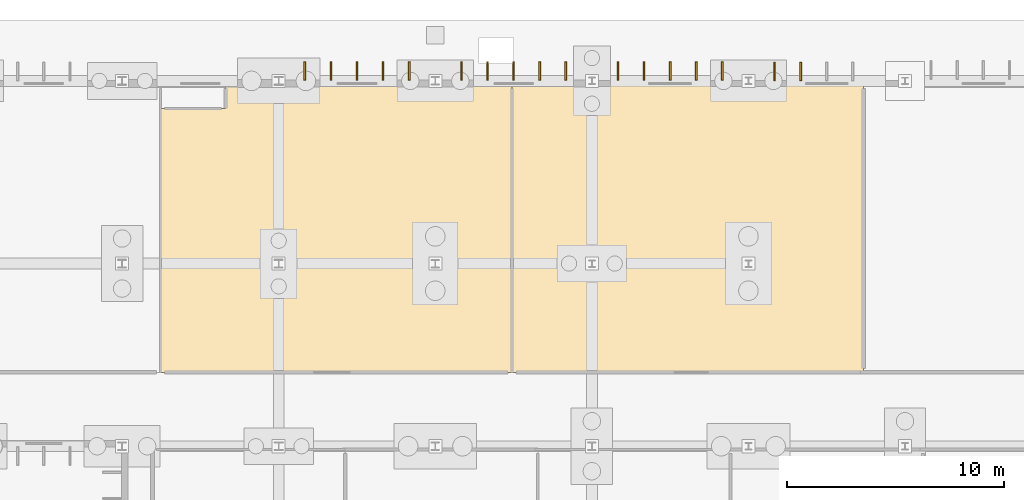
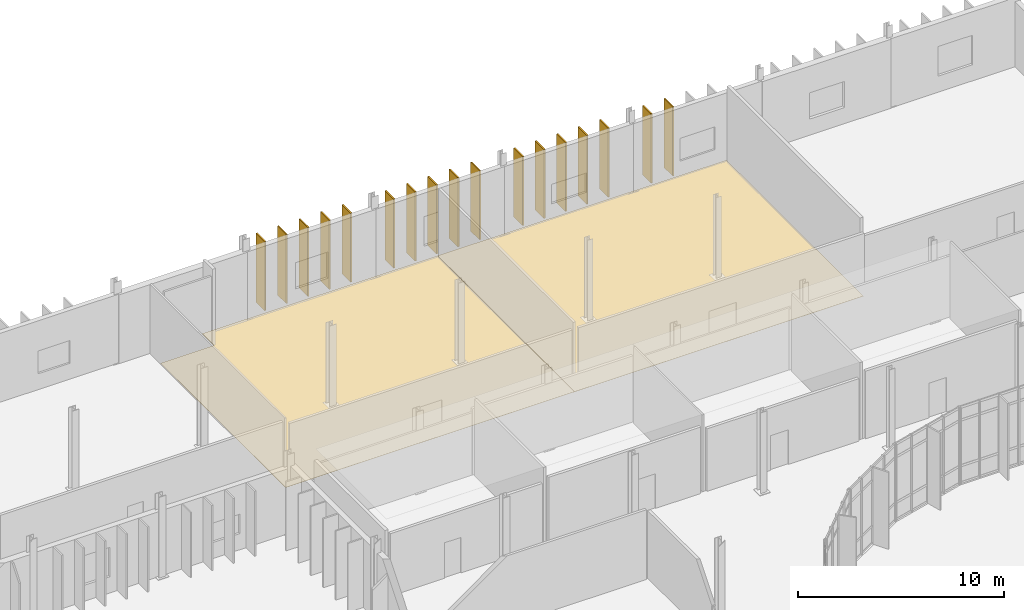
# One storey, part 114 of 118: 17 shading devices, 2 coverings.
"""IFC4 building model written with IfcOpenShell, lengths in metres."""

from ifc_helpers import new_model, si_unit, direction, frame, origin, origin_2d, place, context, subcontext, project, spatial, polyline, rectangle, outline, extrude, material, layer, layer_set, type_object, element, save


model = new_model("IFC4")

# Units and contexts
model_context = context("Model", 3, precision=1e-05, world=origin(), true_north=direction((0.0, 1.0)))
body_context = subcontext(model_context, "Body", "Model", "MODEL_VIEW")
ifc_project = project(units=[si_unit("LENGTHUNIT", "METRE"), si_unit("AREAUNIT", "SQUARE_METRE"), si_unit("VOLUMEUNIT", "CUBIC_METRE"), si_unit("PLANEANGLEUNIT", "RADIAN"), si_unit("MASSUNIT", "GRAM", prefix="KILO")], contexts=[model_context])

# Site, building, storey
site_placement = place(None, origin())
site = spatial("IfcSite", under=ifc_project, at=site_placement, CompositionType="ELEMENT")
building_placement = place(site_placement, origin())
building = spatial("IfcBuilding", under=site, at=building_placement, Name="Qelthora Terrace Specialist Clinic", CompositionType="ELEMENT")
storey_placement = place(building_placement, origin())
storey = spatial("IfcBuildingStorey", under=building, at=storey_placement, Name="L00", CompositionType="ELEMENT", Elevation=0.0)

# Coverings
ifc_material_1 = material(Name="Antimicrobial clinical linoleum flooring", Category="other")
ifc_layer = layer(ifc_material_1, 0.011962890625)
ifc_layer_set = layer_set([ifc_layer], Name="Antimicrobial clinical linoleum flooring")
covering_type = type_object("IfcCoveringType", Name="COV-FLR-LINO-12", PredefinedType="FLOORING", material=ifc_layer_set)
covering_1_placement = place(storey_placement, origin())
element("IfcCovering", 1, at=covering_1_placement, inside=storey, type_object=covering_type, Name="Clinical Seminar Room L00-62 resilient linoleum flooring", PredefinedType="FLOORING", context=body_context, shape_type="SweptSolid", body=[
    extrude(outline(polyline([(98.360107421875, 107.919921875), (98.360107421875, 109.070068359375), (111.52490234375, 109.070068359375), (111.52490234375, 95.800048828125), (95.367431640625, 95.800048828125), (95.367431640625, 107.919921875), (98.360107421875, 107.919921875)])), origin(), (0.0, 0.0, 1.0), 0.011962890625),
])
covering_2_placement = place(storey_placement, origin())
element("IfcCovering", 2, at=covering_2_placement, inside=storey, type_object=covering_type, Name="Clinical Auditorium and Lecture Hall L00-63 resilient linoleum flooring", PredefinedType="FLOORING", context=body_context, shape_type="SweptSolid", body=[
    extrude(outline(polyline([(127.6875, 95.800048828125), (111.530029296875, 95.800048828125), (111.530029296875, 109.070068359375), (127.6875, 109.070068359375), (127.6875, 95.800048828125)])), origin(), (0.0, 0.0, 1.0), 0.011962890625),
])

# Shading devices
ifc_material_2 = material(Name="Glulam timber GL28h", Category="wood")
shading_device_type = type_object("IfcShadingDeviceType", Name="SHD-FIN-850", PredefinedType="USERDEFINED", material=ifc_material_2)
for number, where, z_axis, x_axis, name in (
    (3, (102.0, 109.6650390625, 0.0), (0.0, 0.0, 1.0), (0.0, 1.0, 0.0), "Exterior solar shading fin FIN-0289"),
    (4, (103.199951171875, 109.6650390625, 0.0), (0.0, 0.0, 1.0), (0.0, 1.0, 0.0), "Exterior solar shading fin FIN-0290"),
    (5, (104.39990234375, 109.6650390625, 0.0), (0.0, 0.0, 1.0), (0.0, 1.0, 0.0), "Exterior solar shading fin FIN-0291"),
    (6, (105.60009765625, 109.6650390625, 0.0), (0.0, 0.0, 1.0), (0.0, 1.0, 0.0), "Exterior solar shading fin FIN-0292"),
    (7, (106.800048828125, 109.6650390625, 0.0), (0.0, 0.0, 1.0), (0.0, 1.0, 0.0), "Exterior solar shading fin FIN-0293"),
    (8, (109.199951171875, 109.655029296875, 0.0), (0.0, 0.0, 1.0), (0.0, 1.0, 0.0), "Exterior solar shading fin FIN-0294"),
    (9, (110.39990234375, 109.655029296875, 0.0), (0.0, 0.0, 1.0), (0.0, 1.0, 0.0), "Exterior solar shading fin FIN-0295"),
    (10, (111.60009765625, 109.655029296875, 0.0), (0.0, 0.0, 1.0), (0.0, 1.0, 0.0), "Exterior solar shading fin FIN-0296"),
    (11, (112.800048828125, 109.655029296875, 0.0), (0.0, 0.0, 1.0), (0.0, 1.0, 0.0), "Exterior solar shading fin FIN-0297"),
    (12, (114.0, 109.655029296875, 0.0), (0.0, 0.0, 1.0), (0.0, 1.0, 0.0), "Exterior solar shading fin FIN-0298"),
    (13, (116.39990234375, 109.64501953125, 0.0), (0.0, 0.0, 1.0), (0.0, 1.0, 0.0), "Exterior solar shading fin FIN-0299"),
    (14, (117.60009765625, 109.64501953125, 0.0), (0.0, 0.0, 1.0), (0.0, 1.0, 0.0), "Exterior solar shading fin FIN-0300"),
    (15, (118.800048828125, 109.64501953125, 0.0), (0.0, 0.0, 1.0), (0.0, 1.0, 0.0), "Exterior solar shading fin FIN-0301"),
    (16, (120.0, 109.64501953125, 0.0), (0.0, 0.0, 1.0), (0.0, 1.0, 0.0), "Exterior solar shading fin FIN-0302"),
    (17, (121.199951171875, 109.64501953125, 0.0), (0.0, 0.0, 1.0), (0.0, 1.0, 0.0), "Exterior solar shading fin FIN-0303"),
    (18, (123.60009765625, 109.635009765625, 0.0), (0.0, 0.0, 1.0), (0.0, 1.0, 0.0), "Exterior solar shading fin FIN-0304"),
    (19, (124.800048828125, 109.635009765625, 0.0), (0.0, 0.0, 1.0), (0.0, 1.0, 0.0), "Exterior solar shading fin FIN-0305"),
):
    element("IfcShadingDevice", number, at=place(storey_placement, frame(where, z_axis=z_axis, x_axis=x_axis)), inside=storey, type_object=shading_device_type, Name=name, ObjectType="FIN", PredefinedType="USERDEFINED", context=body_context, shape_type="SweptSolid", body=[
        extrude(rectangle(XDim=0.85009765625, YDim=0.080078125, at=origin_2d()), origin(), (0.0, 0.0, 1.0), 4.08203125),
    ])

save(model, "model.ifc")
